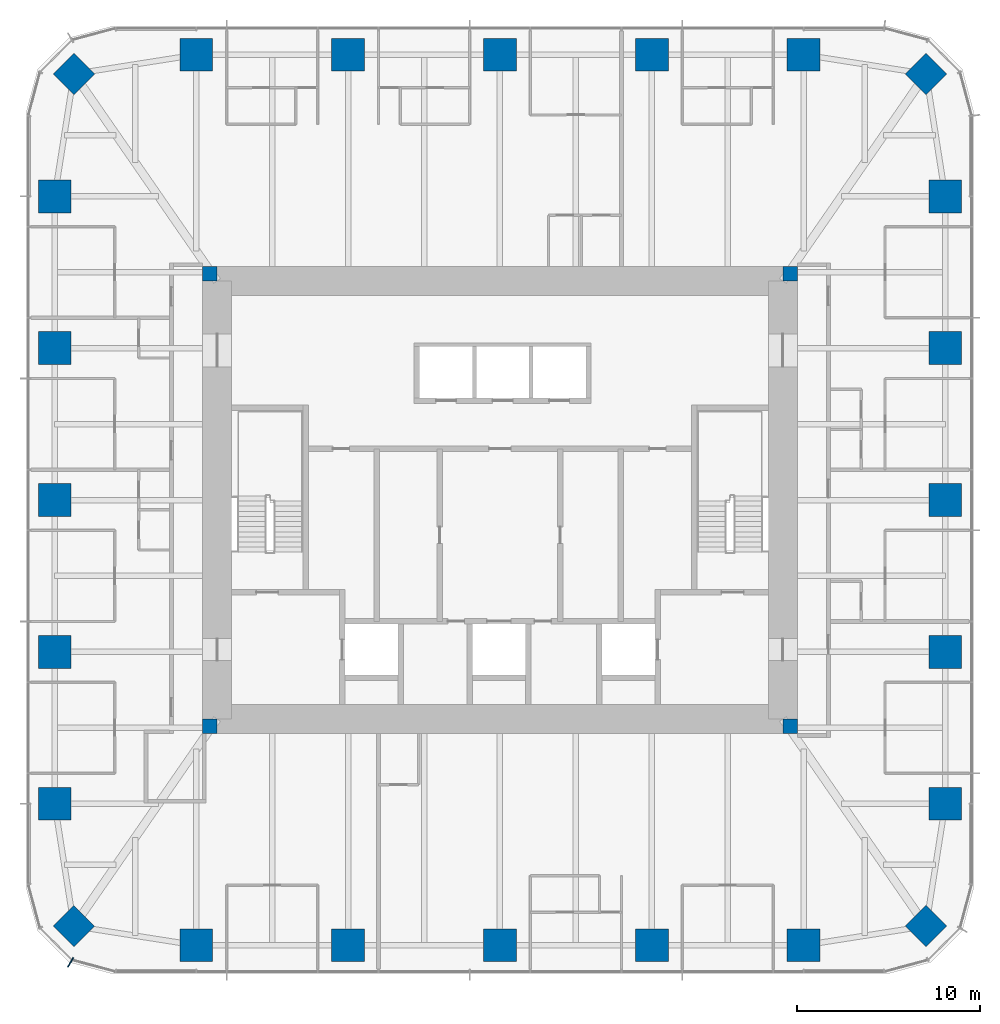
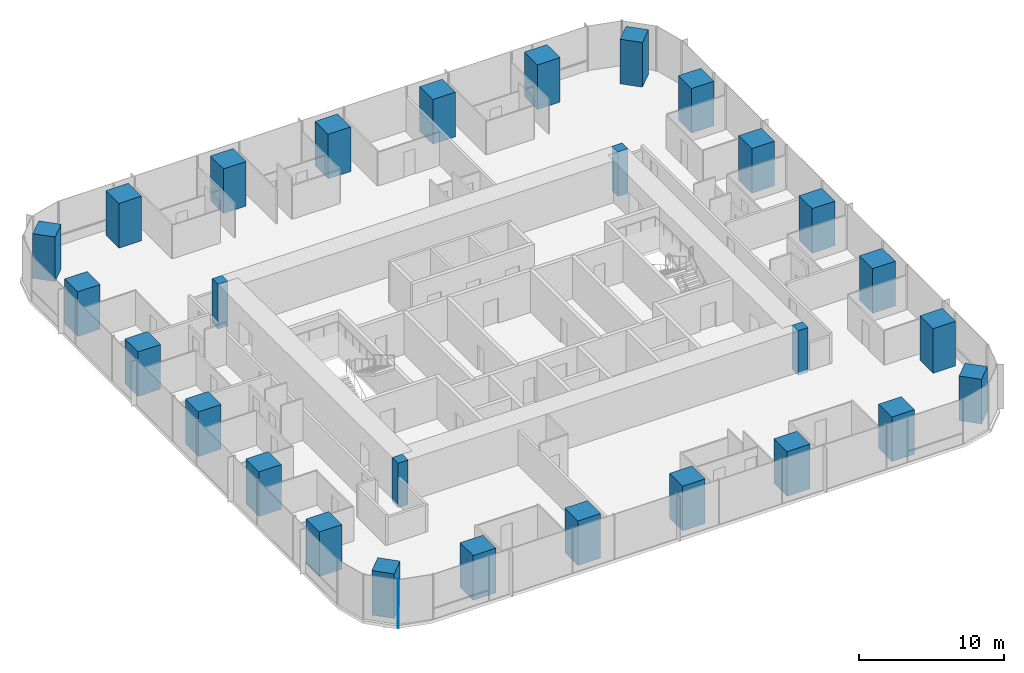
# One storey, part 1 of 12: 28 columns, 1 member, 1 element without a shape of its own.
"""IFC4 building model written with IfcOpenShell, lengths in metres."""

from ifc_helpers import new_model, si_unit, direction, frame, origin, origin_2d, place, context, subcontext, project, spatial, rectangle, extrude, material, material_profile, profile_set, type_object, element, aggregate, save


model = new_model("IFC4")

# Units and contexts
model_context = context("Model", 3, precision=1e-05, world=origin(), true_north=direction((0.0, 1.0)))
body_context = subcontext(model_context, "Body", "Model", "MODEL_VIEW")
ifc_project = project(units=[si_unit("LENGTHUNIT", "METRE"), si_unit("AREAUNIT", "SQUARE_METRE"), si_unit("VOLUMEUNIT", "CUBIC_METRE"), si_unit("PLANEANGLEUNIT", "RADIAN"), si_unit("MASSUNIT", "GRAM", prefix="KILO")], contexts=[model_context])

# Site, building, storey
site_placement = place(None, origin())
site = spatial("IfcSite", under=ifc_project, at=site_placement, CompositionType="ELEMENT")
building_placement = place(site_placement, origin())
building = spatial("IfcBuilding", under=site, at=building_placement, Name="Khuree Lantern Residences", CompositionType="ELEMENT")
storey_placement = place(building_placement, frame((0.0, 0.0, 244.5)))
storey = spatial("IfcBuildingStorey", under=building, at=storey_placement, Name="L61", CompositionType="ELEMENT", Elevation=244.5)

# Columns
ifc_material_1 = material(Name="Concrete C70/85", Category="concrete")
ifc_material_profile_1 = material_profile(ifc_material_1, rectangle(XDim=1.60009765625, YDim=1.60009765625, at=origin_2d()), Name="RC 1600X1600")
ifc_profile_set_1 = profile_set([ifc_material_profile_1], Name="Concrete C70/85")
column_type_1 = type_object("IfcColumnType", Name="CC1600A PERIMETER CORNER COLUMN RC 1600X1600", PredefinedType="COLUMN", material=ifc_profile_set_1)
for number, where, z_axis, x_axis, name in (
    (1, (23.345703125, 23.345703125, 0.0), (0.0, 0.0, 1.0), (0.707106781187, -0.707106781187, 0.0), "Perimeter column NE"),
    (2, (23.345703125, -23.345703125, 0.0), (0.0, 0.0, 1.0), (0.707106781187, 0.707106781187, 0.0), "Perimeter column SE"),
    (3, (-23.345703125, -23.345703125, 0.0), (0.0, 0.0, 1.0), (0.707106781187, -0.707106781187, 0.0), "Perimeter column SW"),
    (4, (-23.345703125, 23.345703125, 0.0), (0.0, 0.0, 1.0), (0.707106781187, 0.707106781187, 0.0), "Perimeter column NW"),
):
    element("IfcColumn", number, at=place(storey_placement, frame(where, z_axis=z_axis, x_axis=x_axis)), inside=storey, type_object=column_type_1, Name=name, PredefinedType="COLUMN", context=body_context, shape_type="SweptSolid", body=[
        extrude(rectangle(XDim=1.60009765625, YDim=1.60009765625, at=origin_2d()), origin(), (0.0, 0.0, 1.0), 3.75),
    ])
ifc_material_2 = material(Name="Concrete C50/60", Category="concrete")
ifc_material_profile_2 = material_profile(ifc_material_2, rectangle(XDim=0.800048828125, YDim=0.800048828125, at=origin_2d()), Name="RC 800X800")
ifc_profile_set_2 = profile_set([ifc_material_profile_2], Name="Concrete C50/60")
column_type_2 = type_object("IfcColumnType", Name="CP800-C50 CORE CORNER PIER C50 RC 800X800", PredefinedType="COLUMN", material=ifc_profile_set_2)
for number, where, z_axis, x_axis, name in (
    (5, (15.89990234375, 12.39990234375, -0.25), (0.0, 0.0, 1.0), (1.0, 0.0, 0.0), "Core corner pier NE"),
    (6, (-15.89990234375, 12.39990234375, -0.25), (0.0, 0.0, 1.0), (1.0, 0.0, 0.0), "Core corner pier NW"),
    (7, (-15.89990234375, -12.39990234375, -0.25), (0.0, 0.0, 1.0), (1.0, 0.0, 0.0), "Core corner pier SW"),
    (8, (15.89990234375, -12.39990234375, -0.25), (0.0, 0.0, 1.0), (1.0, 0.0, 0.0), "Core corner pier SE"),
):
    element("IfcColumn", number, at=place(storey_placement, frame(where, z_axis=z_axis, x_axis=x_axis)), inside=storey, type_object=column_type_2, Name=name, PredefinedType="COLUMN", context=body_context, shape_type="SweptSolid", body=[
        extrude(rectangle(XDim=0.800048828125, YDim=0.800048828125, at=origin_2d()), origin(), (0.0, 0.0, 1.0), 3.75),
    ])
ifc_material_profile_3 = material_profile(ifc_material_1, rectangle(XDim=1.800048828125, YDim=1.800048828125, at=origin_2d()), Name="RC 1800X1800")
ifc_profile_set_3 = profile_set([ifc_material_profile_3], Name="Concrete C70/85")
column_type_3 = type_object("IfcColumnType", Name="PC4 PERIMETER COLUMN RC 1800X1800", PredefinedType="COLUMN", material=ifc_profile_set_3)
for number, where, z_axis, x_axis, name in (
    (9, (-16.639892578125, 24.39990234375, 0.0), (0.0, 0.0, 1.0), (1.0, 0.0, 0.0), "Perimeter column N1"),
    (10, (-8.320068359375, 24.39990234375, 0.0), (0.0, 0.0, 1.0), (1.0, 0.0, 0.0), "Perimeter column N2"),
    (11, (0.0, 24.39990234375, 0.0), (0.0, 0.0, 1.0), (1.0, 0.0, 0.0), "Perimeter column N3"),
    (12, (8.320068359375, 24.39990234375, 0.0), (0.0, 0.0, 1.0), (1.0, 0.0, 0.0), "Perimeter column N4"),
    (13, (16.639892578125, 24.39990234375, 0.0), (0.0, 0.0, 1.0), (1.0, 0.0, 0.0), "Perimeter column N5"),
    (14, (24.39990234375, 16.639892578125, 0.0), (0.0, 0.0, 1.0), (0.0, 1.0, 0.0), "Perimeter column E1"),
    (15, (24.39990234375, 8.320068359375, 0.0), (0.0, 0.0, 1.0), (0.0, 1.0, 0.0), "Perimeter column E2"),
    (16, (24.39990234375, 0.0, 0.0), (0.0, 0.0, 1.0), (0.0, 1.0, 0.0), "Perimeter column E3"),
    (17, (24.39990234375, -8.320068359375, 0.0), (0.0, 0.0, 1.0), (0.0, 1.0, 0.0), "Perimeter column E4"),
    (18, (24.39990234375, -16.639892578125, 0.0), (0.0, 0.0, 1.0), (0.0, 1.0, 0.0), "Perimeter column E5"),
    (19, (16.639892578125, -24.39990234375, 0.0), (0.0, 0.0, 1.0), (1.0, 0.0, 0.0), "Perimeter column S1"),
    (20, (8.320068359375, -24.39990234375, 0.0), (0.0, 0.0, 1.0), (1.0, 0.0, 0.0), "Perimeter column S2"),
    (21, (0.0, -24.39990234375, 0.0), (0.0, 0.0, 1.0), (1.0, 0.0, 0.0), "Perimeter column S3"),
    (22, (-8.320068359375, -24.39990234375, 0.0), (0.0, 0.0, 1.0), (1.0, 0.0, 0.0), "Perimeter column S4"),
    (23, (-16.639892578125, -24.39990234375, 0.0), (0.0, 0.0, 1.0), (1.0, 0.0, 0.0), "Perimeter column S5"),
    (24, (-24.39990234375, -16.639892578125, 0.0), (0.0, 0.0, 1.0), (0.0, 1.0, 0.0), "Perimeter column W1"),
    (25, (-24.39990234375, -8.320068359375, 0.0), (0.0, 0.0, 1.0), (0.0, 1.0, 0.0), "Perimeter column W2"),
    (26, (-24.39990234375, 0.0, 0.0), (0.0, 0.0, 1.0), (0.0, 1.0, 0.0), "Perimeter column W3"),
    (27, (-24.39990234375, 8.320068359375, 0.0), (0.0, 0.0, 1.0), (0.0, 1.0, 0.0), "Perimeter column W4"),
    (28, (-24.39990234375, 16.639892578125, 0.0), (0.0, 0.0, 1.0), (0.0, 1.0, 0.0), "Perimeter column W5"),
):
    element("IfcColumn", number, at=place(storey_placement, frame(where, z_axis=z_axis, x_axis=x_axis)), inside=storey, type_object=column_type_3, Name=name, PredefinedType="COLUMN", context=body_context, shape_type="SweptSolid", body=[
        extrude(rectangle(XDim=1.800048828125, YDim=1.800048828125, at=origin_2d()), origin(), (0.0, 0.0, 1.0), 3.75),
    ])

# Curtain wall, member
ifc_material_3 = material(Name="Bronze anodised aluminium", Category="aluminium")
curtain_wall_type = type_object("IfcCurtainWallType", Name="CW-T2 TOWER CORNER CURTAIN WALL", PredefinedType="USERDEFINED", material=ifc_material_3)
curtain_wall_placement = place(storey_placement, origin())
curtain_wall = element("IfcCurtainWall", 29, at=curtain_wall_placement, inside=storey, type_object=curtain_wall_type, Name="L61 SOUTH-WEST CORNER CURTAIN WALL", ObjectType="Faceted corner curtain wall", PredefinedType="USERDEFINED")
ifc_material_profile_4 = material_profile(ifc_material_3, rectangle(XDim=0.06494140625, YDim=0.60009765625, at=origin_2d()), Name="F1 65X600")
ifc_profile_set_4 = profile_set([ifc_material_profile_4], Name="Bronze anodised aluminium")
member_type = type_object("IfcMemberType", Name="F1 BRONZE FIN MULLION TOWER 65X600", PredefinedType="MULLION", material=ifc_profile_set_4)
member_placement = place(storey_placement, frame((-23.52490234375, -25.3369140625, 0.0), z_axis=(0.0, 0.0, 1.0), x_axis=(0.866025409797, -0.499999989586, 0.0)))
member = element("IfcMember", 30, at=member_placement, type_object=member_type, Name="L61 SOUTH-WEST CORNER FIN MULLION 45", PredefinedType="MULLION", context=body_context, shape_type="SweptSolid", body=[
    extrude(rectangle(XDim=0.06494140625, YDim=0.60009765625, at=origin_2d()), origin(), (0.0, 0.0, 1.0), 3.75),
])
aggregate(curtain_wall, [member])

save(model, "model.ifc")
